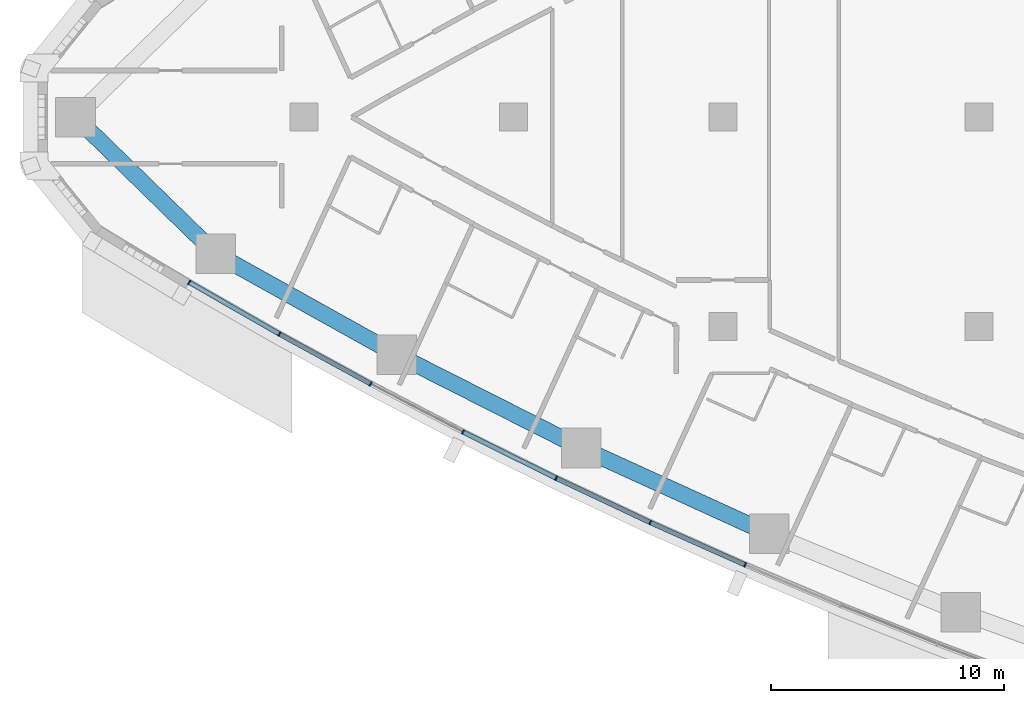
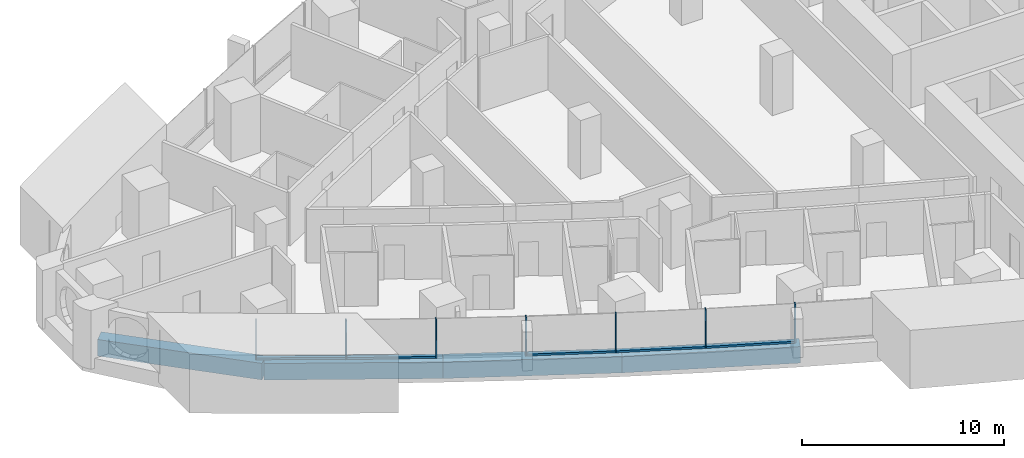
# One storey, part 2 of 17: 12 members, 4 beams, 3 elements without a shape of their own.
"""IFC4 building model written with IfcOpenShell, lengths in metres."""

import ifcopenshell
import ifcopenshell.guid

model = None  # the IFC model being written
_history = None  # IfcOwnerHistory: only IFC2X3 demands one
_inside = {}  # id of a spatial element -> (the spatial element, [elements in it])
_under = {}  # id of a project, library or spatial element -> (it, [spatial elements below it])
_declared = {}  # id of a project -> (the project, [libraries it declares])
_typed = {}  # id of a type object -> (the type object, [elements of that type])
_made_of = {}  # id of a material, layer set ... -> (it, [elements and type objects made of it])


def new_model(schema):
    """Start an empty IFC model of exactly this schema.

    Asked for "IFC4X3", IfcOpenShell would pick the latest addendum, in which some entities
    have other attributes; the version numbers below select the first issue.
    IFC2X3 requires an IfcOwnerHistory on every rooted entity: one is made here for all.
    """
    global model, _history
    if schema == "IFC4X3":
        model = ifcopenshell.file(schema_version=(4, 3, 0, 0))
    else:
        model = ifcopenshell.file(schema=schema)
    _inside.clear()
    _under.clear()
    _declared.clear()
    _typed.clear()
    _made_of.clear()
    _history = None
    if model.schema == "IFC2X3":
        org = make("IfcOrganization", Name="unknown")
        user = make(
            "IfcPersonAndOrganization",
            ThePerson=make("IfcPerson", FamilyName="unknown"),
            TheOrganization=org,
        )
        app = make(
            "IfcApplication",
            ApplicationDeveloper=org,
            Version="unknown",
            ApplicationFullName="unknown",
            ApplicationIdentifier="unknown",
        )
        _history = make(
            "IfcOwnerHistory",
            OwningUser=user,
            OwningApplication=app,
            ChangeAction="ADDED",
            CreationDate=0,
        )
    return model


def make(cls, **values):
    """One entity of the class cls with the attributes given. An attribute that is None is left unset."""
    return model.create_entity(
        cls, **{name: value for name, value in values.items() if value is not None}
    )


def rooted(cls, **values):
    """An entity with a GlobalId (a new one), such as an element, a storey or a relation."""
    return make(cls, GlobalId=ifcopenshell.guid.new(), OwnerHistory=_history, **values)


def si_unit(unit_type, name, prefix=None):
    """IfcSIUnit, for example si_unit("LENGTHUNIT", "METRE", prefix="MILLI")."""
    return make("IfcSIUnit", UnitType=unit_type, Prefix=prefix, Name=name)


def assignment(units):
    """IfcUnitAssignment: the units of a project."""
    return None if units is None else make("IfcUnitAssignment", Units=units)


def point(xyz):
    """IfcCartesianPoint."""
    return None if xyz is None else make("IfcCartesianPoint", Coordinates=xyz)


def direction(xyz):
    """IfcDirection."""
    return None if xyz is None else make("IfcDirection", DirectionRatios=xyz)


def frame(location, z_axis=None, x_axis=None):
    """IfcAxis2Placement3D, a coordinate frame: its origin and axes. An axis left out is left unset."""
    return make(
        "IfcAxis2Placement3D",
        Location=point(location),
        Axis=direction(z_axis),
        RefDirection=direction(x_axis),
    )


def frame_2d(location, x_axis=None):
    """IfcAxis2Placement2D, a coordinate frame in the plane: its origin and x axis."""
    return make(
        "IfcAxis2Placement2D", Location=point(location), RefDirection=direction(x_axis)
    )


def origin():
    """The frame at (0, 0, 0) with its axes left unset."""
    return frame((0.0, 0.0, 0.0))


def origin_2d():
    """The frame at (0, 0) in the plane with its x axis left unset."""
    return frame_2d((0.0, 0.0))


def place(relative_to, where):
    """IfcLocalPlacement: puts the frame where relative to a parent placement (None: the world)."""
    return make(
        "IfcLocalPlacement", PlacementRelTo=relative_to, RelativePlacement=where
    )


def context(
    kind, dimensions, precision=None, world=None, true_north=None, identifier=None
):
    """IfcGeometricRepresentationContext, for example the 3D "Model" context."""
    return make(
        "IfcGeometricRepresentationContext",
        ContextIdentifier=identifier,
        ContextType=kind,
        CoordinateSpaceDimension=dimensions,
        Precision=precision,
        WorldCoordinateSystem=world,
        TrueNorth=true_north,
    )


def subcontext(parent, identifier, kind, view, scale=None):
    """IfcGeometricRepresentationSubContext, for example "Body" below "Model"."""
    return make(
        "IfcGeometricRepresentationSubContext",
        ContextIdentifier=identifier,
        ContextType=kind,
        ParentContext=parent,
        TargetScale=scale,
        TargetView=view,
    )


def project(units=None, contexts=None):
    """IfcProject with its units and contexts."""
    return rooted(
        "IfcProject",
        Name="project",
        RepresentationContexts=contexts,
        UnitsInContext=assignment(units),
    )


def spatial(cls, under=None, at=None, **own):
    """A site, building, storey or space (cls), placed at a placement, below another one or the project."""
    s = rooted(cls, ObjectPlacement=at, **own)
    if under is not None:
        _under.setdefault(under.id(), (under, []))[1].append(s)
    return s


def profile(cls, at=None, kind="AREA", **sizes):
    """A parametric profile (cls). Its sizes go by their IFC names, for example OverallWidth=200.0."""
    return make(cls, ProfileType=kind, Position=at, **sizes)


def rectangle(**sizes):
    """IfcRectangleProfileDef."""
    return profile("IfcRectangleProfileDef", **sizes)


def extrude(swept, where, along, depth):
    """IfcExtrudedAreaSolid: the profile swept, set in the frame where, extruded along a direction by depth."""
    return make(
        "IfcExtrudedAreaSolid",
        SweptArea=swept,
        Position=where,
        ExtrudedDirection=direction(along),
        Depth=depth,
    )


def shape(context_of_items, identifier, shape_type, items):
    """IfcShapeRepresentation: the items that make up one representation, for example the "Body"."""
    return make(
        "IfcShapeRepresentation",
        ContextOfItems=context_of_items,
        RepresentationIdentifier=identifier,
        RepresentationType=shape_type,
        Items=items,
    )


def material(Name=None, Category=None):
    """IfcMaterial."""
    return make("IfcMaterial", Name=Name, Category=Category)


def layer(
    of_material, thickness, ventilated=None, Name=None, Category=None, Priority=None
):
    """IfcMaterialLayer: one layer of a wall or slab, of a material (None: an air gap)."""
    return make(
        "IfcMaterialLayer",
        Material=of_material,
        LayerThickness=thickness,
        IsVentilated=ventilated,
        Name=Name,
        Category=Category,
        Priority=Priority,
    )


def layer_set(layers, Name=None):
    """IfcMaterialLayerSet."""
    return make("IfcMaterialLayerSet", MaterialLayers=layers, LayerSetName=Name)


def material_profile(
    of_material, cross_section, Name=None, Category=None, Priority=None
):
    """IfcMaterialProfile: a cross section and its material."""
    return make(
        "IfcMaterialProfile",
        Name=Name,
        Material=of_material,
        Profile=cross_section,
        Priority=Priority,
        Category=Category,
    )


def profile_set(profiles, Name=None, composite=None):
    """IfcMaterialProfileSet."""
    return make(
        "IfcMaterialProfileSet",
        Name=Name,
        MaterialProfiles=profiles,
        CompositeProfile=composite,
    )


def made_of(thing, what):
    """Note that an element or type object is made of a material, layer set ...; save() writes the relation."""
    if what is not None:
        _made_of.setdefault(what.id(), (what, []))[1].append(thing)
    return thing


def type_object(cls, material=None, **own):
    """A type object (cls), such as IfcWallType, which elements share."""
    return made_of(rooted(cls, **own), material)


def element(
    cls,
    number,
    at=None,
    inside=None,
    cuts=None,
    type_object=None,
    material=None,
    context=None,
    identifier="Body",
    shape_type=None,
    held_by="IfcProductDefinitionShape",
    body=None,
    shapes=None,
    **own,
):
    """One element of the class cls, such as IfcWall. Its Tag is "e" and its number.

    at: its placement. inside: the storey or other place that contains it. cuts: it is an
    opening in that element (IfcRelVoidsElement). A single representation is given by context,
    identifier, shape_type and body (its items); several are given by shapes. held_by: the class
    of the entity that holds the representations. save() writes the other relations.
    """
    e = rooted(cls, Tag="e%d" % number, ObjectPlacement=at, **own)
    if body is not None:
        shapes = [shape(context, identifier, shape_type, body)]
    if shapes is not None:
        e.Representation = make(held_by, Representations=shapes)
    if inside is not None:
        _inside.setdefault(inside.id(), (inside, []))[1].append(e)
    if cuts is not None:
        rooted(
            "IfcRelVoidsElement", RelatingBuildingElement=cuts, RelatedOpeningElement=e
        )
    if type_object is not None:
        _typed.setdefault(type_object.id(), (type_object, []))[1].append(e)
    return made_of(e, material)


def aggregate(whole, parts):
    """IfcRelAggregates: a whole, such as a stair, and the parts it consists of."""
    return rooted("IfcRelAggregates", RelatingObject=whole, RelatedObjects=parts)


def save(model, path):
    """Write the relations noted so far, then the file.

    IfcRelAggregates (storeys below a building ...), IfcRelContainedInSpatialStructure (elements
    in a storey), IfcRelDefinesByType, IfcRelAssociatesMaterial and IfcRelDeclares: one each for
    every whole, place, type object, material and project.
    """
    for whole, parts in _under.values():
        aggregate(whole, parts)
    for where, things in _inside.values():
        rooted(
            "IfcRelContainedInSpatialStructure",
            RelatedElements=things,
            RelatingStructure=where,
        )
    for kind, things in _typed.values():
        rooted("IfcRelDefinesByType", RelatedObjects=things, RelatingType=kind)
    for what, things in _made_of.values():
        rooted("IfcRelAssociatesMaterial", RelatedObjects=things, RelatingMaterial=what)
    for by, libraries in _declared.values():
        rooted("IfcRelDeclares", RelatingContext=by, RelatedDefinitions=libraries)
    model.write(path)


model = new_model("IFC4")

# Units and contexts
model_context = context("Model", 3, precision=1e-05, world=origin(), true_north=direction((0.0, 1.0)))
body_context = subcontext(model_context, "Body", "Model", "MODEL_VIEW")
ifc_project = project(units=[si_unit("LENGTHUNIT", "METRE"), si_unit("AREAUNIT", "SQUARE_METRE"), si_unit("VOLUMEUNIT", "CUBIC_METRE"), si_unit("PLANEANGLEUNIT", "RADIAN"), si_unit("MASSUNIT", "GRAM", prefix="KILO")], contexts=[model_context])

# Site, building, storey
site_placement = place(None, origin())
site = spatial("IfcSite", under=ifc_project, at=site_placement, CompositionType="ELEMENT")
building_placement = place(site_placement, origin())
building = spatial("IfcBuilding", under=site, at=building_placement, Name="Ostrand Prow Hotel Tower", CompositionType="ELEMENT")
storey_placement = place(building_placement, frame((0.0, 0.0, 106.199951171875)))
storey = spatial("IfcBuildingStorey", under=building, at=storey_placement, Name="L25", CompositionType="ELEMENT", Elevation=106.199951171875)

# Beams
ifc_material_1 = material(Name="Concrete C80/95", Category="concrete")
ifc_material_profile_1 = material_profile(ifc_material_1, rectangle(XDim=0.699951171875, YDim=1.0, at=origin_2d()), Name="RC 700x1000")
ifc_profile_set_1 = profile_set([ifc_material_profile_1], Name="Concrete C80/95")
beam_type = type_object("IfcBeamType", Name="Edge beam 700x1000 C80/95", PredefinedType="SPANDREL", material=ifc_profile_set_1)
beam_1_placement = place(storey_placement, frame((6.193115234375, 0.0, -0.800048828125), z_axis=(0.716082759826, -0.698015387423, 0.0), x_axis=(0.698015387423, 0.716082759826, 0.0)))
element("IfcBeam", 1, at=beam_1_placement, inside=storey, type_object=beam_type, Name="Edge beam P-S1", PredefinedType="SPANDREL", context=body_context, shape_type="SweptSolid", body=[
    extrude(rectangle(XDim=0.699951171875, YDim=1.0, at=origin_2d()), origin(), (0.0, 0.0, 1.0), 8.41845703125),
])
beam_2_placement = place(storey_placement, frame((12.221435546875, -5.876220703125, -0.800048828125), z_axis=(0.873452439955, -0.486909473245, 0.0), x_axis=(0.486909473245, 0.873452439955, 0.0)))
element("IfcBeam", 2, at=beam_2_placement, inside=storey, type_object=beam_type, Name="Edge beam S1-S2", PredefinedType="SPANDREL", context=body_context, shape_type="SweptSolid", body=[
    extrude(rectangle(XDim=0.699951171875, YDim=1.0, at=origin_2d()), origin(), (0.0, 0.0, 1.0), 8.883544921875),
])
beam_3_placement = place(storey_placement, frame((19.980712890625, -10.20166015625, -0.800048828125), z_axis=(0.892284288592, -0.451473973039, 0.0), x_axis=(0.451473973039, 0.892284288592, 0.0)))
element("IfcBeam", 3, at=beam_3_placement, inside=storey, type_object=beam_type, Name="Edge beam S2-S3", PredefinedType="SPANDREL", context=body_context, shape_type="SweptSolid", body=[
    extrude(rectangle(XDim=0.699951171875, YDim=1.0, at=origin_2d()), origin(), (0.0, 0.0, 1.0), 8.883056640625),
])
beam_4_placement = place(storey_placement, frame((27.906982421875, -14.212158203125, -0.800048828125), z_axis=(0.909681006953, -0.415307675813, 0.0), x_axis=(0.415307675813, 0.909681006953, 0.0)))
element("IfcBeam", 4, at=beam_4_placement, inside=storey, type_object=beam_type, Name="Edge beam S3-S4", PredefinedType="SPANDREL", context=body_context, shape_type="SweptSolid", body=[
    extrude(rectangle(XDim=0.699951171875, YDim=1.0, at=origin_2d()), origin(), (0.0, 0.0, 1.0), 8.883544921875),
])

# Curtain wall, members
ifc_material_2 = material(Name="Insulated glass in bronze anodised frame", Category="glass")
ifc_layer = layer(ifc_material_2, 0.199951171875)
ifc_layer_set = layer_set([ifc_layer], Name="Insulated glass in bronze anodised frame")
curtain_wall_type = type_object("IfcCurtainWallType", Name="Strip curtain wall, fritted glass over bronze spandrel", PredefinedType="NOTDEFINED", material=ifc_layer_set)
curtain_wall_1_placement = place(storey_placement, origin())
curtain_wall_1 = element("IfcCurtainWall", 5, at=curtain_wall_1_placement, inside=storey, type_object=curtain_wall_type, Name="CW1 run CWS1", PredefinedType="NOTDEFINED")
ifc_material_3 = material(Name="Bronze anodised aluminium", Category="aluminium")
ifc_material_profile_2 = material_profile(ifc_material_3, rectangle(XDim=0.199951171875, YDim=0.06005859375, at=origin_2d()), Name="Mullion 60x200 bronze anodised aluminium")
ifc_profile_set_2 = profile_set([ifc_material_profile_2], Name="Bronze anodised aluminium")
member_type_1 = type_object("IfcMemberType", Name="Mullion 60x200 bronze anodised aluminium", PredefinedType="MULLION", material=ifc_profile_set_2)
member_1_placement = place(storey_placement, frame((11.076416015625, -7.099853515625, 0.900146484375), z_axis=(0.0, 0.0, 1.0), x_axis=(0.497114806368, 0.867684775301, 0.0)))
member_1 = element("IfcMember", 6, at=member_1_placement, type_object=member_type_1, Name="CW1 mullion 1", PredefinedType="MULLION", context=body_context, shape_type="SweptSolid", body=[
    extrude(rectangle(XDim=0.199951171875, YDim=0.06005859375, at=origin_2d()), origin(), (0.0, 0.0, 1.0), 2.349853515625),
])
member_2_placement = place(storey_placement, frame((14.951416015625, -9.320068359375, 0.900146484375), z_axis=(0.0, 0.0, 1.0), x_axis=(0.479637052103, 0.877466978439, 0.0)))
member_2 = element("IfcMember", 7, at=member_2_placement, type_object=member_type_1, Name="CW1 mullion 2", PredefinedType="MULLION", context=body_context, shape_type="SweptSolid", body=[
    extrude(rectangle(XDim=0.199951171875, YDim=0.06005859375, at=origin_2d()), origin(), (0.0, 0.0, 1.0), 2.349853515625),
])
member_3_placement = place(storey_placement, frame((18.870361328125, -11.4619140625, 0.900146484375), z_axis=(0.0, 0.0, 1.0), x_axis=(0.479637052103, 0.877466978439, 0.0)))
member_3 = element("IfcMember", 8, at=member_3_placement, type_object=member_type_1, Name="CW1 mullion 3", PredefinedType="MULLION", context=body_context, shape_type="SweptSolid", body=[
    extrude(rectangle(XDim=0.199951171875, YDim=0.06005859375, at=origin_2d()), origin(), (0.0, 0.0, 1.0), 2.349853515625),
])

curtain_wall_2_placement = place(storey_placement, origin())
curtain_wall_2 = element("IfcCurtainWall", 9, at=curtain_wall_2_placement, inside=storey, type_object=curtain_wall_type, Name="CW1 run CWS2", PredefinedType="NOTDEFINED")
member_4_placement = place(storey_placement, frame((22.831298828125, -13.525146484375, 0.900146484375), z_axis=(0.0, 0.0, 1.0), x_axis=(0.44411295748, 0.895970803653, 0.0)))
member_4 = element("IfcMember", 10, at=member_4_placement, type_object=member_type_1, Name="CW1 mullion 2", PredefinedType="MULLION", context=body_context, shape_type="SweptSolid", body=[
    extrude(rectangle(XDim=0.199951171875, YDim=0.06005859375, at=origin_2d()), origin(), (0.0, 0.0, 1.0), 2.349853515625),
])
member_5_placement = place(storey_placement, frame((26.83251953125, -15.508544921875, 0.900146484375), z_axis=(0.0, 0.0, 1.0), x_axis=(0.44411295748, 0.895970803653, 0.0)))
member_5 = element("IfcMember", 11, at=member_5_placement, type_object=member_type_1, Name="CW1 mullion 3", PredefinedType="MULLION", context=body_context, shape_type="SweptSolid", body=[
    extrude(rectangle(XDim=0.199951171875, YDim=0.06005859375, at=origin_2d()), origin(), (0.0, 0.0, 1.0), 2.349853515625),
])

curtain_wall_3_placement = place(storey_placement, origin())
curtain_wall_3 = element("IfcCurtainWall", 12, at=curtain_wall_3_placement, inside=storey, type_object=curtain_wall_type, Name="CW1 run CWS3", PredefinedType="NOTDEFINED")
member_6_placement = place(storey_placement, frame((30.872802734375, -17.41162109375, 0.900146484375), z_axis=(0.0, 0.0, 1.0), x_axis=(0.407874755419, 0.913037887435, 0.0)))
member_6 = element("IfcMember", 13, at=member_6_placement, type_object=member_type_1, Name="CW1 mullion 2", PredefinedType="MULLION", context=body_context, shape_type="SweptSolid", body=[
    extrude(rectangle(XDim=0.199951171875, YDim=0.06005859375, at=origin_2d()), origin(), (0.0, 0.0, 1.0), 2.349853515625),
])
member_7_placement = place(storey_placement, frame((34.95068359375, -19.233154296875, 0.900146484375), z_axis=(0.0, 0.0, 1.0), x_axis=(0.407874755419, 0.913037887435, 0.0)))
member_7 = element("IfcMember", 14, at=member_7_placement, type_object=member_type_1, Name="CW1 mullion 3", PredefinedType="MULLION", context=body_context, shape_type="SweptSolid", body=[
    extrude(rectangle(XDim=0.199951171875, YDim=0.06005859375, at=origin_2d()), origin(), (0.0, 0.0, 1.0), 2.349853515625),
])

# Member
ifc_material_4 = material(Name="Bronze anodised aluminium", Category="aluminium")
ifc_material_profile_3 = material_profile(ifc_material_4, rectangle(XDim=0.199951171875, YDim=0.1201171875, at=origin_2d()), Name="Transom 120x200 bronze anodised aluminium")
ifc_profile_set_3 = profile_set([ifc_material_profile_3], Name="Bronze anodised aluminium")
member_type_2 = type_object("IfcMemberType", Name="Transom 120x200 bronze anodised aluminium", PredefinedType="USERDEFINED", material=ifc_profile_set_3)
member_8_placement = place(storey_placement, frame((11.1025390625, -7.11474609375, 0.9599609375), z_axis=(0.86766970623, -0.497141107625, 0.0), x_axis=(0.497141107625, 0.86766970623, 0.0)))
member_8 = element("IfcMember", 15, at=member_8_placement, type_object=member_type_2, Name="CW1 transom 1.1", ObjectType="TRANSOM", PredefinedType="USERDEFINED", context=body_context, shape_type="SweptSolid", body=[
    extrude(rectangle(XDim=0.199951171875, YDim=0.1201171875, at=origin_2d()), origin(), (0.0, 0.0, 1.0), 4.406005859375),
])

member_9_placement = place(storey_placement, frame((14.977783203125, -9.33447265625, 0.9599609375), z_axis=(0.877471714137, -0.479628388328, 0.0), x_axis=(0.479628388328, 0.877471714137, 0.0)))
member_9 = element("IfcMember", 16, at=member_9_placement, type_object=member_type_2, Name="CW1 transom 2.1", ObjectType="TRANSOM", PredefinedType="USERDEFINED", context=body_context, shape_type="SweptSolid", body=[
    extrude(rectangle(XDim=0.199951171875, YDim=0.1201171875, at=origin_2d()), origin(), (0.0, 0.0, 1.0), 4.406005859375),
])

aggregate(curtain_wall_1, [member_1, member_2, member_3, member_8, member_9])

member_10_placement = place(storey_placement, frame((22.858154296875, -13.53857421875, 0.9599609375), z_axis=(0.895962348168, -0.444130015497, 0.0), x_axis=(0.444130015497, 0.895962348168, 0.0)))
member_10 = element("IfcMember", 17, at=member_10_placement, type_object=member_type_2, Name="CW1 transom 2.1", ObjectType="TRANSOM", PredefinedType="USERDEFINED", context=body_context, shape_type="SweptSolid", body=[
    extrude(rectangle(XDim=0.199951171875, YDim=0.1201171875, at=origin_2d()), origin(), (0.0, 0.0, 1.0), 4.406005859375),
])

aggregate(curtain_wall_2, [member_4, member_5, member_10])

member_11_placement = place(storey_placement, frame((26.859619140625, -15.521484375, 0.9599609375), z_axis=(0.904696854963, -0.42605586561, 0.0), x_axis=(0.42605586561, 0.904696854963, 0.0)))
member_11 = element("IfcMember", 18, at=member_11_placement, type_object=member_type_2, Name="CW1 transom 1.1", ObjectType="TRANSOM", PredefinedType="USERDEFINED", context=body_context, shape_type="SweptSolid", body=[
    extrude(rectangle(XDim=0.199951171875, YDim=0.1201171875, at=origin_2d()), origin(), (0.0, 0.0, 1.0), 4.406005859375),
])

member_12_placement = place(storey_placement, frame((30.900390625, -17.423583984375, 0.9599609375), z_axis=(0.913030665163, -0.407890922271, 0.0), x_axis=(0.407890922271, 0.913030665163, 0.0)))
member_12 = element("IfcMember", 19, at=member_12_placement, type_object=member_type_2, Name="CW1 transom 2.1", ObjectType="TRANSOM", PredefinedType="USERDEFINED", context=body_context, shape_type="SweptSolid", body=[
    extrude(rectangle(XDim=0.199951171875, YDim=0.1201171875, at=origin_2d()), origin(), (0.0, 0.0, 1.0), 4.40576171875),
])

aggregate(curtain_wall_3, [member_6, member_7, member_11, member_12])

save(model, "model.ifc")
